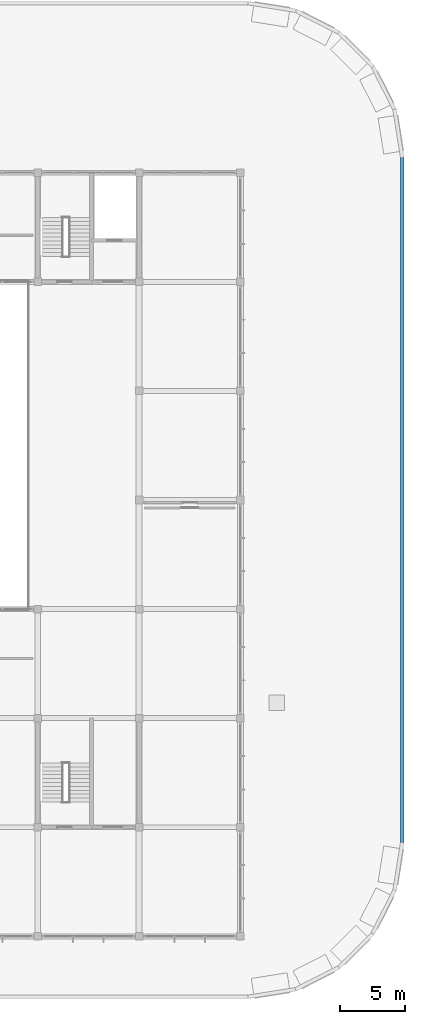
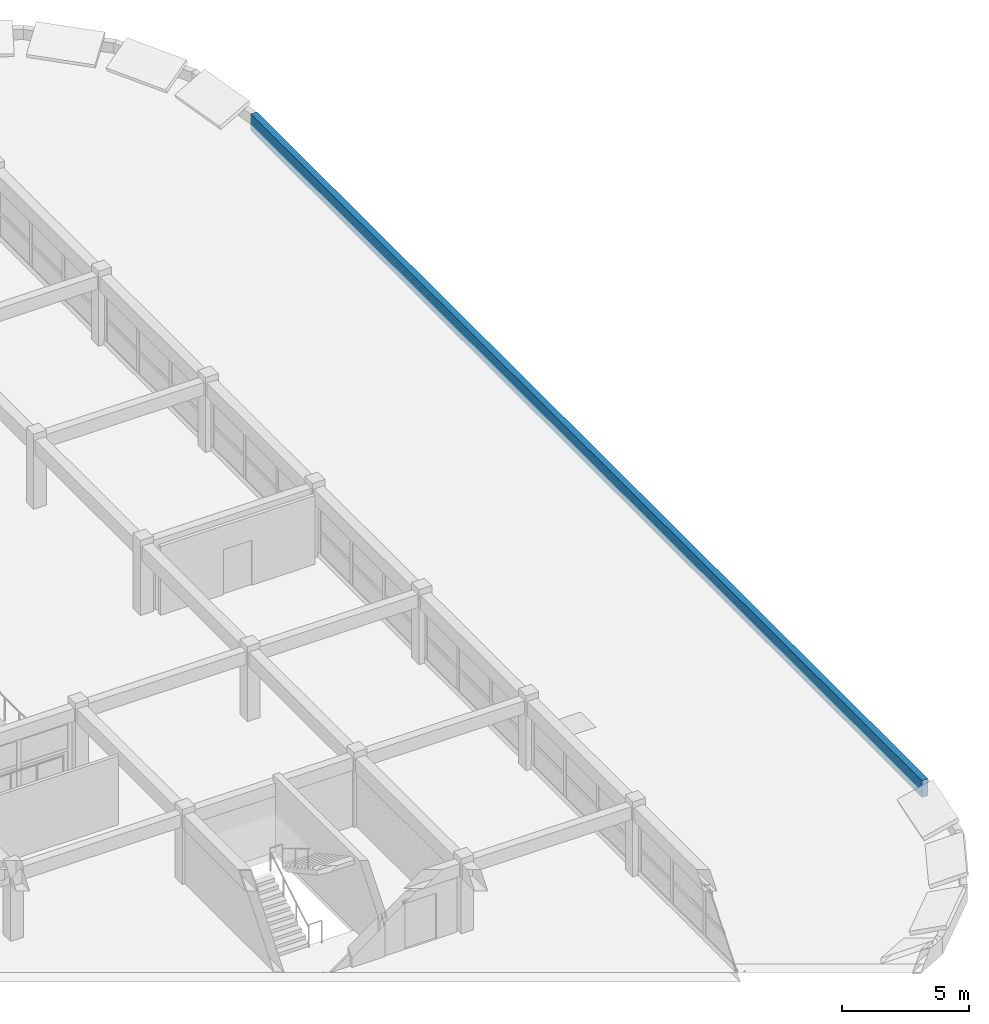
# One storey, part 86 of 101: 1 plate.
"""IFC4 building model written with IfcOpenShell, lengths in metres."""

from ifc_helpers import new_model, si_unit, direction, frame, origin, place, context, subcontext, project, spatial, polyline, outline, extrude, material, layer, layer_set, type_object, element, save


model = new_model("IFC4")

# Units and contexts
model_context = context("Model", 3, precision=1e-05, world=origin(), true_north=direction((0.0, 1.0)))
body_context = subcontext(model_context, "Body", "Model", "MODEL_VIEW")
ifc_project = project(units=[si_unit("LENGTHUNIT", "METRE"), si_unit("AREAUNIT", "SQUARE_METRE"), si_unit("VOLUMEUNIT", "CUBIC_METRE"), si_unit("PLANEANGLEUNIT", "RADIAN"), si_unit("MASSUNIT", "GRAM", prefix="KILO")], contexts=[model_context])

# Site, building, storey
site_placement = place(None, origin())
site = spatial("IfcSite", under=ifc_project, at=site_placement, CompositionType="ELEMENT")
building_placement = place(site_placement, origin())
building = spatial("IfcBuilding", under=site, at=building_placement, Name="Zizhar Promenade General Hospital", CompositionType="ELEMENT")
storey_placement = place(building_placement, frame((0.0, 0.0, 14.39990234375)))
storey = spatial("IfcBuildingStorey", under=building, at=storey_placement, Name="L03", CompositionType="ELEMENT", Elevation=14.39990234375)

# Plate
ifc_material = material(Name="Precast concrete C40/50", Category="concrete")
ifc_layer = layer(ifc_material, 0.260009765625)
ifc_layer_set = layer_set([ifc_layer], Name="Precast concrete C40/50")
plate_type = type_object("IfcPlateType", Name="PL-PC-BAND950", PredefinedType="USERDEFINED", material=ifc_layer_set)
plate_placement = place(storey_placement, frame((0.0, 0.0, -0.0498046875)))
element("IfcPlate", 1, at=plate_placement, inside=storey, type_object=plate_type, Name="Three-Arm Base Roof Upturned Edge Fascia 14", ObjectType="FASCIA_BAND", PredefinedType="USERDEFINED", context=body_context, shape_type="SweptSolid", body=[
    extrude(outline(polyline([(199.800048828125, 49.199951171875), (199.800048828125, 102.0), (199.52001953125, 102.0), (199.52001953125, 49.199951171875), (199.800048828125, 49.199951171875)])), origin(), (0.0, 0.0, 1.0), 0.7998046875),
])

save(model, "model.ifc")
